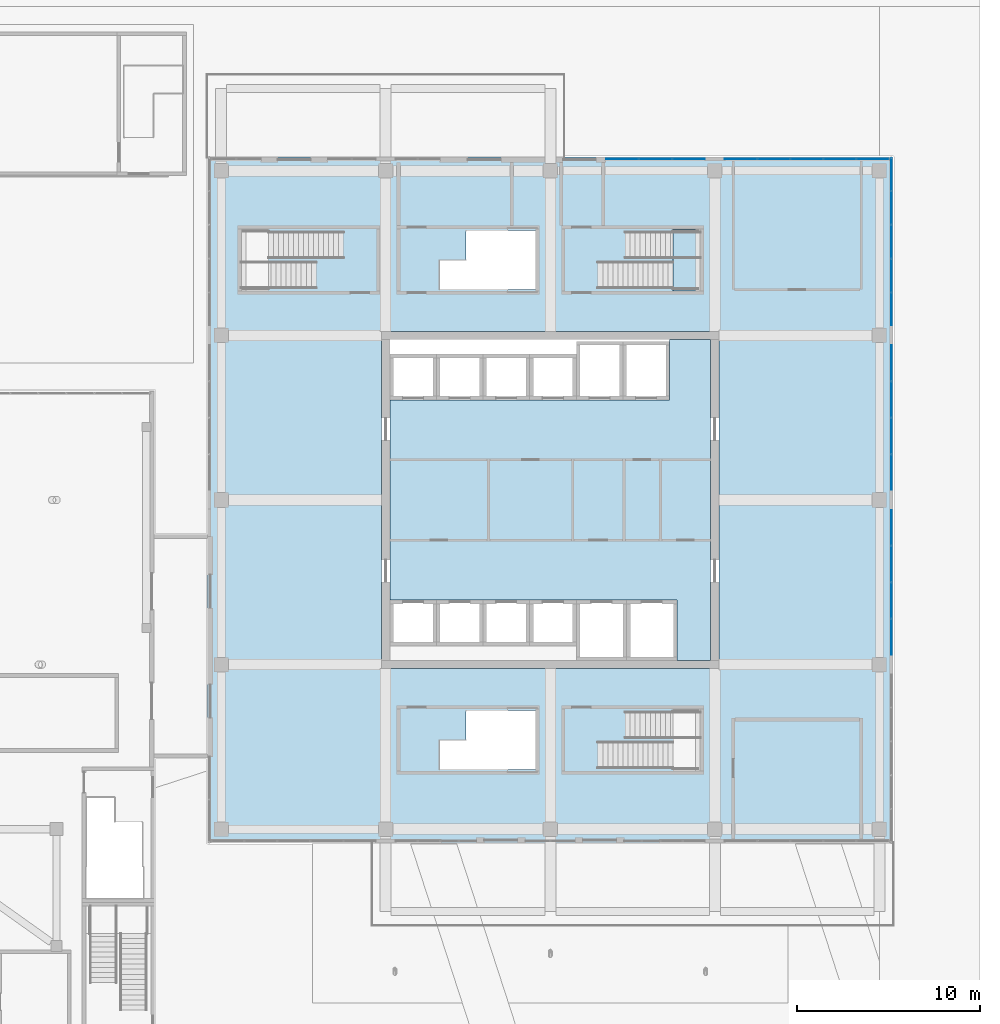
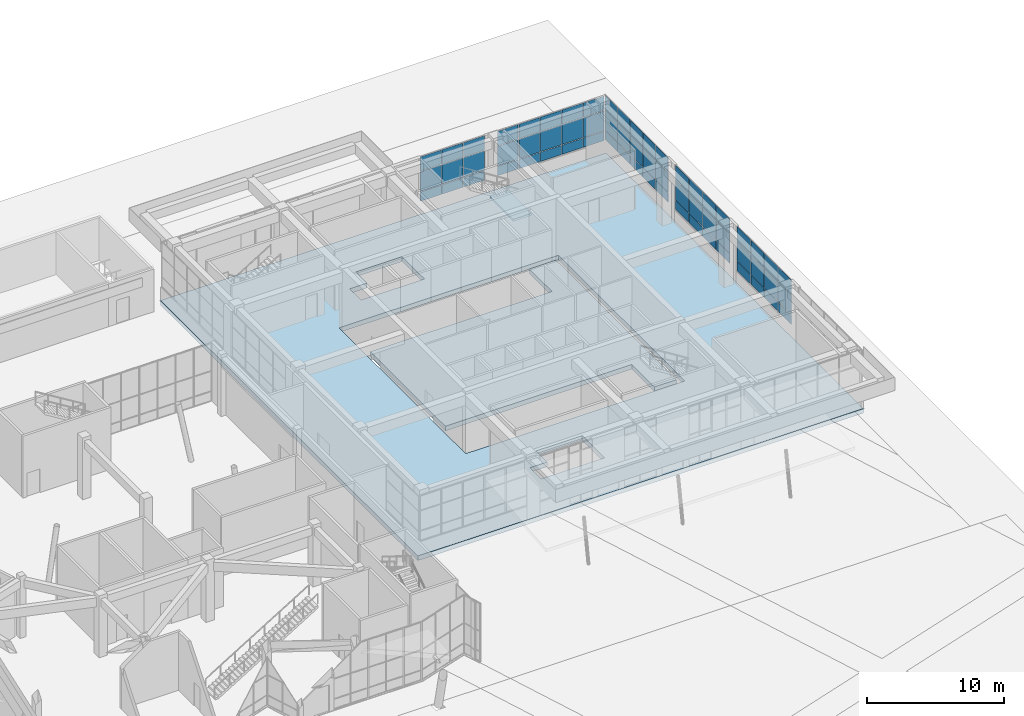
# One storey, part 50 of 72: 63 plates, 3 slabs, 6 elements without a shape of their own.
"""IFC4 building model written with IfcOpenShell, lengths in metres."""

import ifcopenshell
import ifcopenshell.guid

model = None  # the IFC model being written
_history = None  # IfcOwnerHistory: only IFC2X3 demands one
_inside = {}  # id of a spatial element -> (the spatial element, [elements in it])
_under = {}  # id of a project, library or spatial element -> (it, [spatial elements below it])
_declared = {}  # id of a project -> (the project, [libraries it declares])
_typed = {}  # id of a type object -> (the type object, [elements of that type])
_made_of = {}  # id of a material, layer set ... -> (it, [elements and type objects made of it])


def new_model(schema):
    """Start an empty IFC model of exactly this schema.

    Asked for "IFC4X3", IfcOpenShell would pick the latest addendum, in which some entities
    have other attributes; the version numbers below select the first issue.
    IFC2X3 requires an IfcOwnerHistory on every rooted entity: one is made here for all.
    """
    global model, _history
    if schema == "IFC4X3":
        model = ifcopenshell.file(schema_version=(4, 3, 0, 0))
    else:
        model = ifcopenshell.file(schema=schema)
    _inside.clear()
    _under.clear()
    _declared.clear()
    _typed.clear()
    _made_of.clear()
    _history = None
    if model.schema == "IFC2X3":
        org = make("IfcOrganization", Name="unknown")
        user = make(
            "IfcPersonAndOrganization",
            ThePerson=make("IfcPerson", FamilyName="unknown"),
            TheOrganization=org,
        )
        app = make(
            "IfcApplication",
            ApplicationDeveloper=org,
            Version="unknown",
            ApplicationFullName="unknown",
            ApplicationIdentifier="unknown",
        )
        _history = make(
            "IfcOwnerHistory",
            OwningUser=user,
            OwningApplication=app,
            ChangeAction="ADDED",
            CreationDate=0,
        )
    return model


def make(cls, **values):
    """One entity of the class cls with the attributes given. An attribute that is None is left unset."""
    return model.create_entity(
        cls, **{name: value for name, value in values.items() if value is not None}
    )


def rooted(cls, **values):
    """An entity with a GlobalId (a new one), such as an element, a storey or a relation."""
    return make(cls, GlobalId=ifcopenshell.guid.new(), OwnerHistory=_history, **values)


def si_unit(unit_type, name, prefix=None):
    """IfcSIUnit, for example si_unit("LENGTHUNIT", "METRE", prefix="MILLI")."""
    return make("IfcSIUnit", UnitType=unit_type, Prefix=prefix, Name=name)


def assignment(units):
    """IfcUnitAssignment: the units of a project."""
    return None if units is None else make("IfcUnitAssignment", Units=units)


def point(xyz):
    """IfcCartesianPoint."""
    return None if xyz is None else make("IfcCartesianPoint", Coordinates=xyz)


def direction(xyz):
    """IfcDirection."""
    return None if xyz is None else make("IfcDirection", DirectionRatios=xyz)


def frame(location, z_axis=None, x_axis=None):
    """IfcAxis2Placement3D, a coordinate frame: its origin and axes. An axis left out is left unset."""
    return make(
        "IfcAxis2Placement3D",
        Location=point(location),
        Axis=direction(z_axis),
        RefDirection=direction(x_axis),
    )


def frame_2d(location, x_axis=None):
    """IfcAxis2Placement2D, a coordinate frame in the plane: its origin and x axis."""
    return make(
        "IfcAxis2Placement2D", Location=point(location), RefDirection=direction(x_axis)
    )


def origin():
    """The frame at (0, 0, 0) with its axes left unset."""
    return frame((0.0, 0.0, 0.0))


def origin_2d():
    """The frame at (0, 0) in the plane with its x axis left unset."""
    return frame_2d((0.0, 0.0))


def place(relative_to, where):
    """IfcLocalPlacement: puts the frame where relative to a parent placement (None: the world)."""
    return make(
        "IfcLocalPlacement", PlacementRelTo=relative_to, RelativePlacement=where
    )


def context(
    kind, dimensions, precision=None, world=None, true_north=None, identifier=None
):
    """IfcGeometricRepresentationContext, for example the 3D "Model" context."""
    return make(
        "IfcGeometricRepresentationContext",
        ContextIdentifier=identifier,
        ContextType=kind,
        CoordinateSpaceDimension=dimensions,
        Precision=precision,
        WorldCoordinateSystem=world,
        TrueNorth=true_north,
    )


def subcontext(parent, identifier, kind, view, scale=None):
    """IfcGeometricRepresentationSubContext, for example "Body" below "Model"."""
    return make(
        "IfcGeometricRepresentationSubContext",
        ContextIdentifier=identifier,
        ContextType=kind,
        ParentContext=parent,
        TargetScale=scale,
        TargetView=view,
    )


def project(units=None, contexts=None):
    """IfcProject with its units and contexts."""
    return rooted(
        "IfcProject",
        Name="project",
        RepresentationContexts=contexts,
        UnitsInContext=assignment(units),
    )


def spatial(cls, under=None, at=None, **own):
    """A site, building, storey or space (cls), placed at a placement, below another one or the project."""
    s = rooted(cls, ObjectPlacement=at, **own)
    if under is not None:
        _under.setdefault(under.id(), (under, []))[1].append(s)
    return s


def polyline(points):
    """IfcPolyline through the points."""
    return make("IfcPolyline", Points=[point(p) for p in points])


def profile(cls, at=None, kind="AREA", **sizes):
    """A parametric profile (cls). Its sizes go by their IFC names, for example OverallWidth=200.0."""
    return make(cls, ProfileType=kind, Position=at, **sizes)


def rectangle(**sizes):
    """IfcRectangleProfileDef."""
    return profile("IfcRectangleProfileDef", **sizes)


def outline(outer, holes=None, kind="AREA"):
    """IfcArbitraryClosedProfileDef: a profile drawn as a closed curve; with holes, ...WithVoids."""
    if holes is None:
        return make("IfcArbitraryClosedProfileDef", ProfileType=kind, OuterCurve=outer)
    return make(
        "IfcArbitraryProfileDefWithVoids",
        ProfileType=kind,
        OuterCurve=outer,
        InnerCurves=holes,
    )


def extrude(swept, where, along, depth):
    """IfcExtrudedAreaSolid: the profile swept, set in the frame where, extruded along a direction by depth."""
    return make(
        "IfcExtrudedAreaSolid",
        SweptArea=swept,
        Position=where,
        ExtrudedDirection=direction(along),
        Depth=depth,
    )


def shape(context_of_items, identifier, shape_type, items):
    """IfcShapeRepresentation: the items that make up one representation, for example the "Body"."""
    return make(
        "IfcShapeRepresentation",
        ContextOfItems=context_of_items,
        RepresentationIdentifier=identifier,
        RepresentationType=shape_type,
        Items=items,
    )


def material(Name=None, Category=None):
    """IfcMaterial."""
    return make("IfcMaterial", Name=Name, Category=Category)


def layer(
    of_material, thickness, ventilated=None, Name=None, Category=None, Priority=None
):
    """IfcMaterialLayer: one layer of a wall or slab, of a material (None: an air gap)."""
    return make(
        "IfcMaterialLayer",
        Material=of_material,
        LayerThickness=thickness,
        IsVentilated=ventilated,
        Name=Name,
        Category=Category,
        Priority=Priority,
    )


def layer_set(layers, Name=None):
    """IfcMaterialLayerSet."""
    return make("IfcMaterialLayerSet", MaterialLayers=layers, LayerSetName=Name)


def made_of(thing, what):
    """Note that an element or type object is made of a material, layer set ...; save() writes the relation."""
    if what is not None:
        _made_of.setdefault(what.id(), (what, []))[1].append(thing)
    return thing


def type_object(cls, material=None, **own):
    """A type object (cls), such as IfcWallType, which elements share."""
    return made_of(rooted(cls, **own), material)


def element(
    cls,
    number,
    at=None,
    inside=None,
    cuts=None,
    type_object=None,
    material=None,
    context=None,
    identifier="Body",
    shape_type=None,
    held_by="IfcProductDefinitionShape",
    body=None,
    shapes=None,
    **own,
):
    """One element of the class cls, such as IfcWall. Its Tag is "e" and its number.

    at: its placement. inside: the storey or other place that contains it. cuts: it is an
    opening in that element (IfcRelVoidsElement). A single representation is given by context,
    identifier, shape_type and body (its items); several are given by shapes. held_by: the class
    of the entity that holds the representations. save() writes the other relations.
    """
    e = rooted(cls, Tag="e%d" % number, ObjectPlacement=at, **own)
    if body is not None:
        shapes = [shape(context, identifier, shape_type, body)]
    if shapes is not None:
        e.Representation = make(held_by, Representations=shapes)
    if inside is not None:
        _inside.setdefault(inside.id(), (inside, []))[1].append(e)
    if cuts is not None:
        rooted(
            "IfcRelVoidsElement", RelatingBuildingElement=cuts, RelatedOpeningElement=e
        )
    if type_object is not None:
        _typed.setdefault(type_object.id(), (type_object, []))[1].append(e)
    return made_of(e, material)


def aggregate(whole, parts):
    """IfcRelAggregates: a whole, such as a stair, and the parts it consists of."""
    return rooted("IfcRelAggregates", RelatingObject=whole, RelatedObjects=parts)


def save(model, path):
    """Write the relations noted so far, then the file.

    IfcRelAggregates (storeys below a building ...), IfcRelContainedInSpatialStructure (elements
    in a storey), IfcRelDefinesByType, IfcRelAssociatesMaterial and IfcRelDeclares: one each for
    every whole, place, type object, material and project.
    """
    for whole, parts in _under.values():
        aggregate(whole, parts)
    for where, things in _inside.values():
        rooted(
            "IfcRelContainedInSpatialStructure",
            RelatedElements=things,
            RelatingStructure=where,
        )
    for kind, things in _typed.values():
        rooted("IfcRelDefinesByType", RelatedObjects=things, RelatingType=kind)
    for what, things in _made_of.values():
        rooted("IfcRelAssociatesMaterial", RelatedObjects=things, RelatingMaterial=what)
    for by, libraries in _declared.values():
        rooted("IfcRelDeclares", RelatingContext=by, RelatedDefinitions=libraries)
    model.write(path)


model = new_model("IFC4")

# Units and contexts
model_context = context("Model", 3, precision=1e-05, world=origin(), true_north=direction((0.0, 1.0)))
body_context = subcontext(model_context, "Body", "Model", "MODEL_VIEW")
ifc_project = project(units=[si_unit("LENGTHUNIT", "METRE"), si_unit("AREAUNIT", "SQUARE_METRE"), si_unit("VOLUMEUNIT", "CUBIC_METRE"), si_unit("PLANEANGLEUNIT", "RADIAN"), si_unit("MASSUNIT", "GRAM", prefix="KILO")], contexts=[model_context])

# Site, building, storey
site_placement = place(None, origin())
site = spatial("IfcSite", under=ifc_project, at=site_placement, CompositionType="ELEMENT")
building_placement = place(site_placement, origin())
building = spatial("IfcBuilding", under=site, at=building_placement, Name="Tuart Plaza Theatre", CompositionType="ELEMENT")
storey_placement = place(building_placement, origin())
storey = spatial("IfcBuildingStorey", under=building, at=storey_placement, Name="L00", CompositionType="ELEMENT", Elevation=0.0)

# Curtain wall, plates
ifc_material_1 = material(Name="Aluminium and glass", Category="aluminium")
ifc_layer_1 = layer(ifc_material_1, 0.10009765625)
ifc_layer_set_1 = layer_set([ifc_layer_1], Name="CURTAIN WALL 2000 module")
curtain_wall_type_1 = type_object("IfcCurtainWallType", Name="CURTAIN WALL 2000 module", PredefinedType="NOTDEFINED", material=ifc_layer_set_1)
curtain_wall_1_placement = place(storey_placement, origin())
curtain_wall_1 = element("IfcCurtainWall", 1, at=curtain_wall_1_placement, inside=storey, type_object=curtain_wall_type_1, Name="CW49", PredefinedType="NOTDEFINED")
ifc_material_2 = material(Name="Glass", Category="glass")
ifc_layer_2 = layer(ifc_material_2, 0.028076171875)
ifc_layer_set_2 = layer_set([ifc_layer_2], Name="CURTAIN PANEL double glazed 28")
plate_type = type_object("IfcPlateType", Name="CURTAIN PANEL double glazed 28", PredefinedType="CURTAIN_PANEL", material=ifc_layer_set_2)
plate_1_placement = place(storey_placement, frame((150.64990234375, 66.512451171875, 1.25), z_axis=(0.0, 0.0, 1.0), x_axis=(0.0, 1.0, 0.0)))
plate_1 = element("IfcPlate", 2, at=plate_1_placement, type_object=plate_type, Name="CW49 panel 1.1", PredefinedType="CURTAIN_PANEL", context=body_context, shape_type="SweptSolid", body=[
    extrude(rectangle(XDim=1.925048828125, YDim=0.028076171875, at=origin_2d()), origin(), (0.0, 0.0, 1.0), 0.824951171875),
])
plate_2_placement = place(storey_placement, frame((150.64990234375, 66.512451171875, 2.125), z_axis=(0.0, 0.0, 1.0), x_axis=(0.0, 1.0, 0.0)))
plate_2 = element("IfcPlate", 3, at=plate_2_placement, type_object=plate_type, Name="CW49 panel 1.2", PredefinedType="CURTAIN_PANEL", context=body_context, shape_type="SweptSolid", body=[
    extrude(rectangle(XDim=1.925048828125, YDim=0.028076171875, at=origin_2d()), origin(), (0.0, 0.0, 1.0), 1.75),
])
plate_3_placement = place(storey_placement, frame((150.64990234375, 66.512451171875, 3.925048828125), z_axis=(0.0, 0.0, 1.0), x_axis=(0.0, 1.0, 0.0)))
plate_3 = element("IfcPlate", 4, at=plate_3_placement, type_object=plate_type, Name="CW49 panel 1.3", PredefinedType="CURTAIN_PANEL", context=body_context, shape_type="SweptSolid", body=[
    extrude(rectangle(XDim=1.925048828125, YDim=0.028076171875, at=origin_2d()), origin(), (0.0, 0.0, 1.0), 1.27490234375),
])
plate_4_placement = place(storey_placement, frame((150.64990234375, 68.5, 1.25), z_axis=(0.0, 0.0, 1.0), x_axis=(0.0, 1.0, 0.0)))
plate_4 = element("IfcPlate", 5, at=plate_4_placement, type_object=plate_type, Name="CW49 panel 2.1", PredefinedType="CURTAIN_PANEL", context=body_context, shape_type="SweptSolid", body=[
    extrude(rectangle(XDim=1.949951171875, YDim=0.028076171875, at=origin_2d()), origin(), (0.0, 0.0, 1.0), 0.824951171875),
])
plate_5_placement = place(storey_placement, frame((150.64990234375, 68.5, 2.125), z_axis=(0.0, 0.0, 1.0), x_axis=(0.0, 1.0, 0.0)))
plate_5 = element("IfcPlate", 6, at=plate_5_placement, type_object=plate_type, Name="CW49 panel 2.2", PredefinedType="CURTAIN_PANEL", context=body_context, shape_type="SweptSolid", body=[
    extrude(rectangle(XDim=1.949951171875, YDim=0.028076171875, at=origin_2d()), origin(), (0.0, 0.0, 1.0), 1.75),
])
plate_6_placement = place(storey_placement, frame((150.64990234375, 68.5, 3.925048828125), z_axis=(0.0, 0.0, 1.0), x_axis=(0.0, 1.0, 0.0)))
plate_6 = element("IfcPlate", 7, at=plate_6_placement, type_object=plate_type, Name="CW49 panel 2.3", PredefinedType="CURTAIN_PANEL", context=body_context, shape_type="SweptSolid", body=[
    extrude(rectangle(XDim=1.949951171875, YDim=0.028076171875, at=origin_2d()), origin(), (0.0, 0.0, 1.0), 1.27490234375),
])
plate_7_placement = place(storey_placement, frame((150.64990234375, 70.5, 1.25), z_axis=(0.0, 0.0, 1.0), x_axis=(0.0, 1.0, 0.0)))
plate_7 = element("IfcPlate", 8, at=plate_7_placement, type_object=plate_type, Name="CW49 panel 3.1", PredefinedType="CURTAIN_PANEL", context=body_context, shape_type="SweptSolid", body=[
    extrude(rectangle(XDim=1.949951171875, YDim=0.028076171875, at=origin_2d()), origin(), (0.0, 0.0, 1.0), 0.824951171875),
])
plate_8_placement = place(storey_placement, frame((150.64990234375, 70.5, 2.125), z_axis=(0.0, 0.0, 1.0), x_axis=(0.0, 1.0, 0.0)))
plate_8 = element("IfcPlate", 9, at=plate_8_placement, type_object=plate_type, Name="CW49 panel 3.2", PredefinedType="CURTAIN_PANEL", context=body_context, shape_type="SweptSolid", body=[
    extrude(rectangle(XDim=1.949951171875, YDim=0.028076171875, at=origin_2d()), origin(), (0.0, 0.0, 1.0), 1.75),
])
plate_9_placement = place(storey_placement, frame((150.64990234375, 70.5, 3.925048828125), z_axis=(0.0, 0.0, 1.0), x_axis=(0.0, 1.0, 0.0)))
plate_9 = element("IfcPlate", 10, at=plate_9_placement, type_object=plate_type, Name="CW49 panel 3.3", PredefinedType="CURTAIN_PANEL", context=body_context, shape_type="SweptSolid", body=[
    extrude(rectangle(XDim=1.949951171875, YDim=0.028076171875, at=origin_2d()), origin(), (0.0, 0.0, 1.0), 1.27490234375),
])
plate_10_placement = place(storey_placement, frame((150.64990234375, 72.487548828125, 1.25), z_axis=(0.0, 0.0, 1.0), x_axis=(0.0, 1.0, 0.0)))
plate_10 = element("IfcPlate", 11, at=plate_10_placement, type_object=plate_type, Name="CW49 panel 4.1", PredefinedType="CURTAIN_PANEL", context=body_context, shape_type="SweptSolid", body=[
    extrude(rectangle(XDim=1.925048828125, YDim=0.028076171875, at=origin_2d()), origin(), (0.0, 0.0, 1.0), 0.824951171875),
])
plate_11_placement = place(storey_placement, frame((150.64990234375, 72.487548828125, 2.125), z_axis=(0.0, 0.0, 1.0), x_axis=(0.0, 1.0, 0.0)))
plate_11 = element("IfcPlate", 12, at=plate_11_placement, type_object=plate_type, Name="CW49 panel 4.2", PredefinedType="CURTAIN_PANEL", context=body_context, shape_type="SweptSolid", body=[
    extrude(rectangle(XDim=1.925048828125, YDim=0.028076171875, at=origin_2d()), origin(), (0.0, 0.0, 1.0), 1.75),
])
plate_12_placement = place(storey_placement, frame((150.64990234375, 72.487548828125, 3.925048828125), z_axis=(0.0, 0.0, 1.0), x_axis=(0.0, 1.0, 0.0)))
plate_12 = element("IfcPlate", 13, at=plate_12_placement, type_object=plate_type, Name="CW49 panel 4.3", PredefinedType="CURTAIN_PANEL", context=body_context, shape_type="SweptSolid", body=[
    extrude(rectangle(XDim=1.925048828125, YDim=0.028076171875, at=origin_2d()), origin(), (0.0, 0.0, 1.0), 1.27490234375),
])
aggregate(curtain_wall_1, [plate_1, plate_2, plate_3, plate_4, plate_5, plate_6, plate_7, plate_8, plate_9, plate_10, plate_11, plate_12])

curtain_wall_2_placement = place(storey_placement, origin())
curtain_wall_2 = element("IfcCurtainWall", 14, at=curtain_wall_2_placement, inside=storey, type_object=curtain_wall_type_1, Name="CW50", PredefinedType="NOTDEFINED")
plate_13_placement = place(storey_placement, frame((150.64990234375, 75.512451171875, 1.25), z_axis=(0.0, 0.0, 1.0), x_axis=(0.0, 1.0, 0.0)))
plate_13 = element("IfcPlate", 15, at=plate_13_placement, type_object=plate_type, Name="CW50 panel 1.1", PredefinedType="CURTAIN_PANEL", context=body_context, shape_type="SweptSolid", body=[
    extrude(rectangle(XDim=1.925048828125, YDim=0.028076171875, at=origin_2d()), origin(), (0.0, 0.0, 1.0), 0.824951171875),
])
plate_14_placement = place(storey_placement, frame((150.64990234375, 75.512451171875, 2.125), z_axis=(0.0, 0.0, 1.0), x_axis=(0.0, 1.0, 0.0)))
plate_14 = element("IfcPlate", 16, at=plate_14_placement, type_object=plate_type, Name="CW50 panel 1.2", PredefinedType="CURTAIN_PANEL", context=body_context, shape_type="SweptSolid", body=[
    extrude(rectangle(XDim=1.925048828125, YDim=0.028076171875, at=origin_2d()), origin(), (0.0, 0.0, 1.0), 1.75),
])
plate_15_placement = place(storey_placement, frame((150.64990234375, 75.512451171875, 3.925048828125), z_axis=(0.0, 0.0, 1.0), x_axis=(0.0, 1.0, 0.0)))
plate_15 = element("IfcPlate", 17, at=plate_15_placement, type_object=plate_type, Name="CW50 panel 1.3", PredefinedType="CURTAIN_PANEL", context=body_context, shape_type="SweptSolid", body=[
    extrude(rectangle(XDim=1.925048828125, YDim=0.028076171875, at=origin_2d()), origin(), (0.0, 0.0, 1.0), 1.27490234375),
])
plate_16_placement = place(storey_placement, frame((150.64990234375, 77.5, 1.25), z_axis=(0.0, 0.0, 1.0), x_axis=(0.0, 1.0, 0.0)))
plate_16 = element("IfcPlate", 18, at=plate_16_placement, type_object=plate_type, Name="CW50 panel 2.1", PredefinedType="CURTAIN_PANEL", context=body_context, shape_type="SweptSolid", body=[
    extrude(rectangle(XDim=1.949951171875, YDim=0.028076171875, at=origin_2d()), origin(), (0.0, 0.0, 1.0), 0.824951171875),
])
plate_17_placement = place(storey_placement, frame((150.64990234375, 77.5, 2.125), z_axis=(0.0, 0.0, 1.0), x_axis=(0.0, 1.0, 0.0)))
plate_17 = element("IfcPlate", 19, at=plate_17_placement, type_object=plate_type, Name="CW50 panel 2.2", PredefinedType="CURTAIN_PANEL", context=body_context, shape_type="SweptSolid", body=[
    extrude(rectangle(XDim=1.949951171875, YDim=0.028076171875, at=origin_2d()), origin(), (0.0, 0.0, 1.0), 1.75),
])
plate_18_placement = place(storey_placement, frame((150.64990234375, 77.5, 3.925048828125), z_axis=(0.0, 0.0, 1.0), x_axis=(0.0, 1.0, 0.0)))
plate_18 = element("IfcPlate", 20, at=plate_18_placement, type_object=plate_type, Name="CW50 panel 2.3", PredefinedType="CURTAIN_PANEL", context=body_context, shape_type="SweptSolid", body=[
    extrude(rectangle(XDim=1.949951171875, YDim=0.028076171875, at=origin_2d()), origin(), (0.0, 0.0, 1.0), 1.27490234375),
])
plate_19_placement = place(storey_placement, frame((150.64990234375, 79.5, 1.25), z_axis=(0.0, 0.0, 1.0), x_axis=(0.0, 1.0, 0.0)))
plate_19 = element("IfcPlate", 21, at=plate_19_placement, type_object=plate_type, Name="CW50 panel 3.1", PredefinedType="CURTAIN_PANEL", context=body_context, shape_type="SweptSolid", body=[
    extrude(rectangle(XDim=1.949951171875, YDim=0.028076171875, at=origin_2d()), origin(), (0.0, 0.0, 1.0), 0.824951171875),
])
plate_20_placement = place(storey_placement, frame((150.64990234375, 79.5, 2.125), z_axis=(0.0, 0.0, 1.0), x_axis=(0.0, 1.0, 0.0)))
plate_20 = element("IfcPlate", 22, at=plate_20_placement, type_object=plate_type, Name="CW50 panel 3.2", PredefinedType="CURTAIN_PANEL", context=body_context, shape_type="SweptSolid", body=[
    extrude(rectangle(XDim=1.949951171875, YDim=0.028076171875, at=origin_2d()), origin(), (0.0, 0.0, 1.0), 1.75),
])
plate_21_placement = place(storey_placement, frame((150.64990234375, 79.5, 3.925048828125), z_axis=(0.0, 0.0, 1.0), x_axis=(0.0, 1.0, 0.0)))
plate_21 = element("IfcPlate", 23, at=plate_21_placement, type_object=plate_type, Name="CW50 panel 3.3", PredefinedType="CURTAIN_PANEL", context=body_context, shape_type="SweptSolid", body=[
    extrude(rectangle(XDim=1.949951171875, YDim=0.028076171875, at=origin_2d()), origin(), (0.0, 0.0, 1.0), 1.27490234375),
])
plate_22_placement = place(storey_placement, frame((150.64990234375, 81.487548828125, 1.25), z_axis=(0.0, 0.0, 1.0), x_axis=(0.0, 1.0, 0.0)))
plate_22 = element("IfcPlate", 24, at=plate_22_placement, type_object=plate_type, Name="CW50 panel 4.1", PredefinedType="CURTAIN_PANEL", context=body_context, shape_type="SweptSolid", body=[
    extrude(rectangle(XDim=1.925048828125, YDim=0.028076171875, at=origin_2d()), origin(), (0.0, 0.0, 1.0), 0.824951171875),
])
plate_23_placement = place(storey_placement, frame((150.64990234375, 81.487548828125, 2.125), z_axis=(0.0, 0.0, 1.0), x_axis=(0.0, 1.0, 0.0)))
plate_23 = element("IfcPlate", 25, at=plate_23_placement, type_object=plate_type, Name="CW50 panel 4.2", PredefinedType="CURTAIN_PANEL", context=body_context, shape_type="SweptSolid", body=[
    extrude(rectangle(XDim=1.925048828125, YDim=0.028076171875, at=origin_2d()), origin(), (0.0, 0.0, 1.0), 1.75),
])
plate_24_placement = place(storey_placement, frame((150.64990234375, 81.487548828125, 3.925048828125), z_axis=(0.0, 0.0, 1.0), x_axis=(0.0, 1.0, 0.0)))
plate_24 = element("IfcPlate", 26, at=plate_24_placement, type_object=plate_type, Name="CW50 panel 4.3", PredefinedType="CURTAIN_PANEL", context=body_context, shape_type="SweptSolid", body=[
    extrude(rectangle(XDim=1.925048828125, YDim=0.028076171875, at=origin_2d()), origin(), (0.0, 0.0, 1.0), 1.27490234375),
])
aggregate(curtain_wall_2, [plate_13, plate_14, plate_15, plate_16, plate_17, plate_18, plate_19, plate_20, plate_21, plate_22, plate_23, plate_24])

curtain_wall_3_placement = place(storey_placement, origin())
curtain_wall_3 = element("IfcCurtainWall", 27, at=curtain_wall_3_placement, inside=storey, type_object=curtain_wall_type_1, Name="CW51", PredefinedType="NOTDEFINED")
plate_25_placement = place(storey_placement, frame((150.64990234375, 84.4375, 1.25), z_axis=(0.0, 0.0, 1.0), x_axis=(0.0, 1.0, 0.0)))
plate_25 = element("IfcPlate", 28, at=plate_25_placement, type_object=plate_type, Name="CW51 panel 1.1", PredefinedType="CURTAIN_PANEL", context=body_context, shape_type="SweptSolid", body=[
    extrude(rectangle(XDim=1.77490234375, YDim=0.028076171875, at=origin_2d()), origin(), (0.0, 0.0, 1.0), 0.824951171875),
])
plate_26_placement = place(storey_placement, frame((150.64990234375, 84.4375, 2.125), z_axis=(0.0, 0.0, 1.0), x_axis=(0.0, 1.0, 0.0)))
plate_26 = element("IfcPlate", 29, at=plate_26_placement, type_object=plate_type, Name="CW51 panel 1.2", PredefinedType="CURTAIN_PANEL", context=body_context, shape_type="SweptSolid", body=[
    extrude(rectangle(XDim=1.77490234375, YDim=0.028076171875, at=origin_2d()), origin(), (0.0, 0.0, 1.0), 1.75),
])
plate_27_placement = place(storey_placement, frame((150.64990234375, 84.4375, 3.925048828125), z_axis=(0.0, 0.0, 1.0), x_axis=(0.0, 1.0, 0.0)))
plate_27 = element("IfcPlate", 30, at=plate_27_placement, type_object=plate_type, Name="CW51 panel 1.3", PredefinedType="CURTAIN_PANEL", context=body_context, shape_type="SweptSolid", body=[
    extrude(rectangle(XDim=1.77490234375, YDim=0.028076171875, at=origin_2d()), origin(), (0.0, 0.0, 1.0), 1.27490234375),
])
plate_28_placement = place(storey_placement, frame((150.64990234375, 86.27490234375, 1.25), z_axis=(0.0, 0.0, 1.0), x_axis=(0.0, 1.0, 0.0)))
plate_28 = element("IfcPlate", 31, at=plate_28_placement, type_object=plate_type, Name="CW51 panel 2.1", PredefinedType="CURTAIN_PANEL", context=body_context, shape_type="SweptSolid", body=[
    extrude(rectangle(XDim=1.800048828125, YDim=0.028076171875, at=origin_2d()), origin(), (0.0, 0.0, 1.0), 0.824951171875),
])
plate_29_placement = place(storey_placement, frame((150.64990234375, 86.27490234375, 2.125), z_axis=(0.0, 0.0, 1.0), x_axis=(0.0, 1.0, 0.0)))
plate_29 = element("IfcPlate", 32, at=plate_29_placement, type_object=plate_type, Name="CW51 panel 2.2", PredefinedType="CURTAIN_PANEL", context=body_context, shape_type="SweptSolid", body=[
    extrude(rectangle(XDim=1.800048828125, YDim=0.028076171875, at=origin_2d()), origin(), (0.0, 0.0, 1.0), 1.75),
])
plate_30_placement = place(storey_placement, frame((150.64990234375, 86.27490234375, 3.925048828125), z_axis=(0.0, 0.0, 1.0), x_axis=(0.0, 1.0, 0.0)))
plate_30 = element("IfcPlate", 33, at=plate_30_placement, type_object=plate_type, Name="CW51 panel 2.3", PredefinedType="CURTAIN_PANEL", context=body_context, shape_type="SweptSolid", body=[
    extrude(rectangle(XDim=1.800048828125, YDim=0.028076171875, at=origin_2d()), origin(), (0.0, 0.0, 1.0), 1.27490234375),
])
plate_31_placement = place(storey_placement, frame((150.64990234375, 88.125, 1.25), z_axis=(0.0, 0.0, 1.0), x_axis=(0.0, 1.0, 0.0)))
plate_31 = element("IfcPlate", 34, at=plate_31_placement, type_object=plate_type, Name="CW51 panel 3.1", PredefinedType="CURTAIN_PANEL", context=body_context, shape_type="SweptSolid", body=[
    extrude(rectangle(XDim=1.800048828125, YDim=0.028076171875, at=origin_2d()), origin(), (0.0, 0.0, 1.0), 0.824951171875),
])
plate_32_placement = place(storey_placement, frame((150.64990234375, 88.125, 2.125), z_axis=(0.0, 0.0, 1.0), x_axis=(0.0, 1.0, 0.0)))
plate_32 = element("IfcPlate", 35, at=plate_32_placement, type_object=plate_type, Name="CW51 panel 3.2", PredefinedType="CURTAIN_PANEL", context=body_context, shape_type="SweptSolid", body=[
    extrude(rectangle(XDim=1.800048828125, YDim=0.028076171875, at=origin_2d()), origin(), (0.0, 0.0, 1.0), 1.75),
])
plate_33_placement = place(storey_placement, frame((150.64990234375, 88.125, 3.925048828125), z_axis=(0.0, 0.0, 1.0), x_axis=(0.0, 1.0, 0.0)))
plate_33 = element("IfcPlate", 36, at=plate_33_placement, type_object=plate_type, Name="CW51 panel 3.3", PredefinedType="CURTAIN_PANEL", context=body_context, shape_type="SweptSolid", body=[
    extrude(rectangle(XDim=1.800048828125, YDim=0.028076171875, at=origin_2d()), origin(), (0.0, 0.0, 1.0), 1.27490234375),
])
plate_34_placement = place(storey_placement, frame((150.64990234375, 89.97509765625, 1.25), z_axis=(0.0, 0.0, 1.0), x_axis=(0.0, 1.0, 0.0)))
plate_34 = element("IfcPlate", 37, at=plate_34_placement, type_object=plate_type, Name="CW51 panel 4.1", PredefinedType="CURTAIN_PANEL", context=body_context, shape_type="SweptSolid", body=[
    extrude(rectangle(XDim=1.800048828125, YDim=0.028076171875, at=origin_2d()), origin(), (0.0, 0.0, 1.0), 0.824951171875),
])
plate_35_placement = place(storey_placement, frame((150.64990234375, 89.97509765625, 2.125), z_axis=(0.0, 0.0, 1.0), x_axis=(0.0, 1.0, 0.0)))
plate_35 = element("IfcPlate", 38, at=plate_35_placement, type_object=plate_type, Name="CW51 panel 4.2", PredefinedType="CURTAIN_PANEL", context=body_context, shape_type="SweptSolid", body=[
    extrude(rectangle(XDim=1.800048828125, YDim=0.028076171875, at=origin_2d()), origin(), (0.0, 0.0, 1.0), 1.75),
])
plate_36_placement = place(storey_placement, frame((150.64990234375, 89.97509765625, 3.925048828125), z_axis=(0.0, 0.0, 1.0), x_axis=(0.0, 1.0, 0.0)))
plate_36 = element("IfcPlate", 39, at=plate_36_placement, type_object=plate_type, Name="CW51 panel 4.3", PredefinedType="CURTAIN_PANEL", context=body_context, shape_type="SweptSolid", body=[
    extrude(rectangle(XDim=1.800048828125, YDim=0.028076171875, at=origin_2d()), origin(), (0.0, 0.0, 1.0), 1.27490234375),
])
plate_37_placement = place(storey_placement, frame((150.64990234375, 91.8125, 1.25), z_axis=(0.0, 0.0, 1.0), x_axis=(0.0, 1.0, 0.0)))
plate_37 = element("IfcPlate", 40, at=plate_37_placement, type_object=plate_type, Name="CW51 panel 5.1", PredefinedType="CURTAIN_PANEL", context=body_context, shape_type="SweptSolid", body=[
    extrude(rectangle(XDim=1.77490234375, YDim=0.028076171875, at=origin_2d()), origin(), (0.0, 0.0, 1.0), 0.824951171875),
])
plate_38_placement = place(storey_placement, frame((150.64990234375, 91.8125, 2.125), z_axis=(0.0, 0.0, 1.0), x_axis=(0.0, 1.0, 0.0)))
plate_38 = element("IfcPlate", 41, at=plate_38_placement, type_object=plate_type, Name="CW51 panel 5.2", PredefinedType="CURTAIN_PANEL", context=body_context, shape_type="SweptSolid", body=[
    extrude(rectangle(XDim=1.77490234375, YDim=0.028076171875, at=origin_2d()), origin(), (0.0, 0.0, 1.0), 1.75),
])
plate_39_placement = place(storey_placement, frame((150.64990234375, 91.8125, 3.925048828125), z_axis=(0.0, 0.0, 1.0), x_axis=(0.0, 1.0, 0.0)))
plate_39 = element("IfcPlate", 42, at=plate_39_placement, type_object=plate_type, Name="CW51 panel 5.3", PredefinedType="CURTAIN_PANEL", context=body_context, shape_type="SweptSolid", body=[
    extrude(rectangle(XDim=1.77490234375, YDim=0.028076171875, at=origin_2d()), origin(), (0.0, 0.0, 1.0), 1.27490234375),
])
aggregate(curtain_wall_3, [plate_25, plate_26, plate_27, plate_28, plate_29, plate_30, plate_31, plate_32, plate_33, plate_34, plate_35, plate_36, plate_37, plate_38, plate_39])

ifc_material_3 = material(Name="Aluminium and glass", Category="aluminium")
ifc_layer_3 = layer(ifc_material_3, 0.10009765625)
ifc_layer_set_3 = layer_set([ifc_layer_3], Name="CURTAIN WALL 1800 module")
curtain_wall_type_2 = type_object("IfcCurtainWallType", Name="CURTAIN WALL 1800 module", PredefinedType="NOTDEFINED", material=ifc_layer_set_3)
curtain_wall_4_placement = place(storey_placement, origin())
curtain_wall_4 = element("IfcCurtainWall", 43, at=curtain_wall_4_placement, inside=storey, type_object=curtain_wall_type_2, Name="CW52", PredefinedType="NOTDEFINED")
plate_40_placement = place(storey_placement, frame((149.632568359375, 92.64990234375, 1.25), z_axis=(0.0, 0.0, 1.0), x_axis=(-1.0, 0.0, 0.0)))
plate_40 = element("IfcPlate", 44, at=plate_40_placement, type_object=plate_type, Name="CW52 panel 1.1", PredefinedType="CURTAIN_PANEL", context=body_context, shape_type="SweptSolid", body=[
    extrude(rectangle(XDim=1.735107421875, YDim=0.028076171875, at=origin_2d()), origin(), (0.0, 0.0, 1.0), 0.824951171875),
])
plate_41_placement = place(storey_placement, frame((149.632568359375, 92.64990234375, 2.125), z_axis=(0.0, 0.0, 1.0), x_axis=(-1.0, 0.0, 0.0)))
plate_41 = element("IfcPlate", 45, at=plate_41_placement, type_object=plate_type, Name="CW52 panel 1.2", PredefinedType="CURTAIN_PANEL", context=body_context, shape_type="SweptSolid", body=[
    extrude(rectangle(XDim=1.735107421875, YDim=0.028076171875, at=origin_2d()), origin(), (0.0, 0.0, 1.0), 1.75),
])
plate_42_placement = place(storey_placement, frame((149.632568359375, 92.64990234375, 3.925048828125), z_axis=(0.0, 0.0, 1.0), x_axis=(-1.0, 0.0, 0.0)))
plate_42 = element("IfcPlate", 46, at=plate_42_placement, type_object=plate_type, Name="CW52 panel 1.3", PredefinedType="CURTAIN_PANEL", context=body_context, shape_type="SweptSolid", body=[
    extrude(rectangle(XDim=1.735107421875, YDim=0.028076171875, at=origin_2d()), origin(), (0.0, 0.0, 1.0), 1.27490234375),
])
plate_43_placement = place(storey_placement, frame((147.8349609375, 92.64990234375, 1.25), z_axis=(0.0, 0.0, 1.0), x_axis=(-1.0, 0.0, 0.0)))
plate_43 = element("IfcPlate", 47, at=plate_43_placement, type_object=plate_type, Name="CW52 panel 2.1", PredefinedType="CURTAIN_PANEL", context=body_context, shape_type="SweptSolid", body=[
    extrude(rectangle(XDim=1.760009765625, YDim=0.028076171875, at=origin_2d()), origin(), (0.0, 0.0, 1.0), 0.824951171875),
])
plate_44_placement = place(storey_placement, frame((147.8349609375, 92.64990234375, 2.125), z_axis=(0.0, 0.0, 1.0), x_axis=(-1.0, 0.0, 0.0)))
plate_44 = element("IfcPlate", 48, at=plate_44_placement, type_object=plate_type, Name="CW52 panel 2.2", PredefinedType="CURTAIN_PANEL", context=body_context, shape_type="SweptSolid", body=[
    extrude(rectangle(XDim=1.760009765625, YDim=0.028076171875, at=origin_2d()), origin(), (0.0, 0.0, 1.0), 1.75),
])
plate_45_placement = place(storey_placement, frame((147.8349609375, 92.64990234375, 3.925048828125), z_axis=(0.0, 0.0, 1.0), x_axis=(-1.0, 0.0, 0.0)))
plate_45 = element("IfcPlate", 49, at=plate_45_placement, type_object=plate_type, Name="CW52 panel 2.3", PredefinedType="CURTAIN_PANEL", context=body_context, shape_type="SweptSolid", body=[
    extrude(rectangle(XDim=1.760009765625, YDim=0.028076171875, at=origin_2d()), origin(), (0.0, 0.0, 1.0), 1.27490234375),
])
plate_46_placement = place(storey_placement, frame((146.02490234375, 92.64990234375, 1.25), z_axis=(0.0, 0.0, 1.0), x_axis=(-1.0, 0.0, 0.0)))
plate_46 = element("IfcPlate", 50, at=plate_46_placement, type_object=plate_type, Name="CW52 panel 3.1", PredefinedType="CURTAIN_PANEL", context=body_context, shape_type="SweptSolid", body=[
    extrude(rectangle(XDim=1.760009765625, YDim=0.028076171875, at=origin_2d()), origin(), (0.0, 0.0, 1.0), 0.824951171875),
])
plate_47_placement = place(storey_placement, frame((146.02490234375, 92.64990234375, 2.125), z_axis=(0.0, 0.0, 1.0), x_axis=(-1.0, 0.0, 0.0)))
plate_47 = element("IfcPlate", 51, at=plate_47_placement, type_object=plate_type, Name="CW52 panel 3.2", PredefinedType="CURTAIN_PANEL", context=body_context, shape_type="SweptSolid", body=[
    extrude(rectangle(XDim=1.760009765625, YDim=0.028076171875, at=origin_2d()), origin(), (0.0, 0.0, 1.0), 1.75),
])
plate_48_placement = place(storey_placement, frame((146.02490234375, 92.64990234375, 3.925048828125), z_axis=(0.0, 0.0, 1.0), x_axis=(-1.0, 0.0, 0.0)))
plate_48 = element("IfcPlate", 52, at=plate_48_placement, type_object=plate_type, Name="CW52 panel 3.3", PredefinedType="CURTAIN_PANEL", context=body_context, shape_type="SweptSolid", body=[
    extrude(rectangle(XDim=1.760009765625, YDim=0.028076171875, at=origin_2d()), origin(), (0.0, 0.0, 1.0), 1.27490234375),
])
plate_49_placement = place(storey_placement, frame((144.215087890625, 92.64990234375, 1.25), z_axis=(0.0, 0.0, 1.0), x_axis=(-1.0, 0.0, 0.0)))
plate_49 = element("IfcPlate", 53, at=plate_49_placement, type_object=plate_type, Name="CW52 panel 4.1", PredefinedType="CURTAIN_PANEL", context=body_context, shape_type="SweptSolid", body=[
    extrude(rectangle(XDim=1.760009765625, YDim=0.028076171875, at=origin_2d()), origin(), (0.0, 0.0, 1.0), 0.824951171875),
])
plate_50_placement = place(storey_placement, frame((144.215087890625, 92.64990234375, 2.125), z_axis=(0.0, 0.0, 1.0), x_axis=(-1.0, 0.0, 0.0)))
plate_50 = element("IfcPlate", 54, at=plate_50_placement, type_object=plate_type, Name="CW52 panel 4.2", PredefinedType="CURTAIN_PANEL", context=body_context, shape_type="SweptSolid", body=[
    extrude(rectangle(XDim=1.760009765625, YDim=0.028076171875, at=origin_2d()), origin(), (0.0, 0.0, 1.0), 1.75),
])
plate_51_placement = place(storey_placement, frame((144.215087890625, 92.64990234375, 3.925048828125), z_axis=(0.0, 0.0, 1.0), x_axis=(-1.0, 0.0, 0.0)))
plate_51 = element("IfcPlate", 55, at=plate_51_placement, type_object=plate_type, Name="CW52 panel 4.3", PredefinedType="CURTAIN_PANEL", context=body_context, shape_type="SweptSolid", body=[
    extrude(rectangle(XDim=1.760009765625, YDim=0.028076171875, at=origin_2d()), origin(), (0.0, 0.0, 1.0), 1.27490234375),
])
plate_52_placement = place(storey_placement, frame((142.41748046875, 92.64990234375, 1.25), z_axis=(0.0, 0.0, 1.0), x_axis=(-1.0, 0.0, 0.0)))
plate_52 = element("IfcPlate", 56, at=plate_52_placement, type_object=plate_type, Name="CW52 panel 5.1", PredefinedType="CURTAIN_PANEL", context=body_context, shape_type="SweptSolid", body=[
    extrude(rectangle(XDim=1.735107421875, YDim=0.028076171875, at=origin_2d()), origin(), (0.0, 0.0, 1.0), 0.824951171875),
])
plate_53_placement = place(storey_placement, frame((142.41748046875, 92.64990234375, 2.125), z_axis=(0.0, 0.0, 1.0), x_axis=(-1.0, 0.0, 0.0)))
plate_53 = element("IfcPlate", 57, at=plate_53_placement, type_object=plate_type, Name="CW52 panel 5.2", PredefinedType="CURTAIN_PANEL", context=body_context, shape_type="SweptSolid", body=[
    extrude(rectangle(XDim=1.735107421875, YDim=0.028076171875, at=origin_2d()), origin(), (0.0, 0.0, 1.0), 1.75),
])
plate_54_placement = place(storey_placement, frame((142.41748046875, 92.64990234375, 3.925048828125), z_axis=(0.0, 0.0, 1.0), x_axis=(-1.0, 0.0, 0.0)))
plate_54 = element("IfcPlate", 58, at=plate_54_placement, type_object=plate_type, Name="CW52 panel 5.3", PredefinedType="CURTAIN_PANEL", context=body_context, shape_type="SweptSolid", body=[
    extrude(rectangle(XDim=1.735107421875, YDim=0.028076171875, at=origin_2d()), origin(), (0.0, 0.0, 1.0), 1.27490234375),
])
aggregate(curtain_wall_4, [plate_40, plate_41, plate_42, plate_43, plate_44, plate_45, plate_46, plate_47, plate_48, plate_49, plate_50, plate_51, plate_52, plate_53, plate_54])

curtain_wall_5_placement = place(storey_placement, origin())
curtain_wall_5 = element("IfcCurtainWall", 59, at=curtain_wall_5_placement, inside=storey, type_object=curtain_wall_type_1, Name="CW53", PredefinedType="NOTDEFINED")
plate_55_placement = place(storey_placement, frame((139.57080078125, 92.64990234375, 1.25), z_axis=(0.0, 0.0, 1.0), x_axis=(-1.0, 0.0, 0.0)))
plate_55 = element("IfcPlate", 60, at=plate_55_placement, type_object=plate_type, Name="CW53 panel 1.1", PredefinedType="CURTAIN_PANEL", context=body_context, shape_type="SweptSolid", body=[
    extrude(rectangle(XDim=1.75830078125, YDim=0.028076171875, at=origin_2d()), origin(), (0.0, 0.0, 1.0), 0.824951171875),
])
plate_56_placement = place(storey_placement, frame((139.57080078125, 92.64990234375, 2.125), z_axis=(0.0, 0.0, 1.0), x_axis=(-1.0, 0.0, 0.0)))
plate_56 = element("IfcPlate", 61, at=plate_56_placement, type_object=plate_type, Name="CW53 panel 1.2", PredefinedType="CURTAIN_PANEL", context=body_context, shape_type="SweptSolid", body=[
    extrude(rectangle(XDim=1.75830078125, YDim=0.028076171875, at=origin_2d()), origin(), (0.0, 0.0, 1.0), 1.75),
])
plate_57_placement = place(storey_placement, frame((139.57080078125, 92.64990234375, 3.925048828125), z_axis=(0.0, 0.0, 1.0), x_axis=(-1.0, 0.0, 0.0)))
plate_57 = element("IfcPlate", 62, at=plate_57_placement, type_object=plate_type, Name="CW53 panel 1.3", PredefinedType="CURTAIN_PANEL", context=body_context, shape_type="SweptSolid", body=[
    extrude(rectangle(XDim=1.75830078125, YDim=0.028076171875, at=origin_2d()), origin(), (0.0, 0.0, 1.0), 1.27490234375),
])
plate_58_placement = place(storey_placement, frame((137.75, 92.64990234375, 1.25), z_axis=(0.0, 0.0, 1.0), x_axis=(-1.0, 0.0, 0.0)))
plate_58 = element("IfcPlate", 63, at=plate_58_placement, type_object=plate_type, Name="CW53 panel 2.1", PredefinedType="CURTAIN_PANEL", context=body_context, shape_type="SweptSolid", body=[
    extrude(rectangle(XDim=1.783447265625, YDim=0.028076171875, at=origin_2d()), origin(), (0.0, 0.0, 1.0), 0.824951171875),
])
plate_59_placement = place(storey_placement, frame((137.75, 92.64990234375, 2.125), z_axis=(0.0, 0.0, 1.0), x_axis=(-1.0, 0.0, 0.0)))
plate_59 = element("IfcPlate", 64, at=plate_59_placement, type_object=plate_type, Name="CW53 panel 2.2", PredefinedType="CURTAIN_PANEL", context=body_context, shape_type="SweptSolid", body=[
    extrude(rectangle(XDim=1.783447265625, YDim=0.028076171875, at=origin_2d()), origin(), (0.0, 0.0, 1.0), 1.75),
])
plate_60_placement = place(storey_placement, frame((137.75, 92.64990234375, 3.925048828125), z_axis=(0.0, 0.0, 1.0), x_axis=(-1.0, 0.0, 0.0)))
plate_60 = element("IfcPlate", 65, at=plate_60_placement, type_object=plate_type, Name="CW53 panel 2.3", PredefinedType="CURTAIN_PANEL", context=body_context, shape_type="SweptSolid", body=[
    extrude(rectangle(XDim=1.783447265625, YDim=0.028076171875, at=origin_2d()), origin(), (0.0, 0.0, 1.0), 1.27490234375),
])
plate_61_placement = place(storey_placement, frame((135.92919921875, 92.64990234375, 1.25), z_axis=(0.0, 0.0, 1.0), x_axis=(-1.0, 0.0, 0.0)))
plate_61 = element("IfcPlate", 66, at=plate_61_placement, type_object=plate_type, Name="CW53 panel 3.1", PredefinedType="CURTAIN_PANEL", context=body_context, shape_type="SweptSolid", body=[
    extrude(rectangle(XDim=1.75830078125, YDim=0.028076171875, at=origin_2d()), origin(), (0.0, 0.0, 1.0), 0.824951171875),
])
plate_62_placement = place(storey_placement, frame((135.92919921875, 92.64990234375, 2.125), z_axis=(0.0, 0.0, 1.0), x_axis=(-1.0, 0.0, 0.0)))
plate_62 = element("IfcPlate", 67, at=plate_62_placement, type_object=plate_type, Name="CW53 panel 3.2", PredefinedType="CURTAIN_PANEL", context=body_context, shape_type="SweptSolid", body=[
    extrude(rectangle(XDim=1.75830078125, YDim=0.028076171875, at=origin_2d()), origin(), (0.0, 0.0, 1.0), 1.75),
])
plate_63_placement = place(storey_placement, frame((135.92919921875, 92.64990234375, 3.925048828125), z_axis=(0.0, 0.0, 1.0), x_axis=(-1.0, 0.0, 0.0)))
plate_63 = element("IfcPlate", 68, at=plate_63_placement, type_object=plate_type, Name="CW53 panel 3.3", PredefinedType="CURTAIN_PANEL", context=body_context, shape_type="SweptSolid", body=[
    extrude(rectangle(XDim=1.75830078125, YDim=0.028076171875, at=origin_2d()), origin(), (0.0, 0.0, 1.0), 1.27490234375),
])
aggregate(curtain_wall_5, [plate_55, plate_56, plate_57, plate_58, plate_59, plate_60, plate_61, plate_62, plate_63])

# Slabs
ifc_material_4 = material(Name="Concrete N40 (40 MPa)", Category="concrete")
ifc_layer_4 = layer(ifc_material_4, 0.419921875)
ifc_layer_set_4 = layer_set([ifc_layer_4], Name="SLAB Floor 420 Concrete N40 (40 MPa)")
slab_type_1 = type_object("IfcSlabType", Name="SLAB Floor 420 Concrete N40 (40 MPa)", PredefinedType="FLOOR", material=ifc_layer_set_4)
slab_1_placement = place(storey_placement, frame((0.0, 0.0, -0.419921875)))
element("IfcSlab", 69, at=slab_1_placement, inside=storey, type_object=slab_type_1, Name="S79", PredefinedType="FLOOR", context=body_context, shape_type="SweptSolid", body=[
    extrude(outline(polyline([(150.75, 55.25), (150.75, 92.75), (113.25, 92.75), (113.25, 55.25), (150.75, 55.25)]), holes=[polyline([(122.77490234375, 64.77490234375), (141.22509765625, 64.77490234375), (141.22509765625, 83.22509765625), (122.77490234375, 83.22509765625), (122.77490234375, 64.77490234375)]), polyline([(131.27001953125, 62.5), (127.389892578125, 62.5), (127.389892578125, 60.875), (125.929931640625, 60.875), (125.929931640625, 59.25), (131.27001953125, 59.25), (131.27001953125, 62.5)]), polyline([(131.27001953125, 85.5), (131.27001953125, 88.75), (127.389892578125, 88.75), (127.389892578125, 87.125), (125.929931640625, 87.125), (125.929931640625, 85.5), (131.27001953125, 85.5)])]), origin(), (0.0, 0.0, 1.0), 0.419921875),
])
slab_2_placement = place(storey_placement, frame((0.0, 0.0, -0.419921875)))
element("IfcSlab", 70, at=slab_2_placement, inside=storey, type_object=slab_type_1, Name="S80", PredefinedType="FLOOR", context=body_context, shape_type="SweptSolid", body=[
    extrude(outline(polyline([(138.925048828125, 68.52490234375), (138.925048828125, 65.22509765625), (140.77490234375, 65.22509765625), (140.77490234375, 82.77490234375), (138.52490234375, 82.77490234375), (138.52490234375, 79.47509765625), (123.22509765625, 79.47509765625), (123.22509765625, 68.52490234375), (138.925048828125, 68.52490234375)])), origin(), (0.0, 0.0, 1.0), 0.419921875),
])

# Stair, slab
ifc_material_5 = material(Name="Concrete N40 (40 MPa)", Category="concrete")
stair_type = type_object("IfcStairType", Name="STAIR half turn 1500", PredefinedType="HALF_TURN_STAIR", material=ifc_material_5)
stair_placement = place(storey_placement, origin())
stair = element("IfcStair", 71, at=stair_placement, inside=storey, type_object=stair_type, Name="SC-7", PredefinedType="HALF_TURN_STAIR")
ifc_material_6 = material(Name="Concrete N40 (40 MPa)", Category="concrete")
ifc_layer_5 = layer(ifc_material_6, 0.199951171875)
ifc_layer_set_5 = layer_set([ifc_layer_5], Name="STAIR LANDING 200")
slab_type_2 = type_object("IfcSlabType", Name="STAIR LANDING 200", PredefinedType="LANDING", material=ifc_layer_set_5)
slab_3_placement = place(storey_placement, frame((0.0, 0.0, 2.550048828125)))
slab_3 = element("IfcSlab", 72, at=slab_3_placement, type_object=slab_type_2, Name="SC-7 landing 1", PredefinedType="LANDING", context=body_context, shape_type="SweptSolid", body=[
    extrude(outline(polyline([(138.699951171875, 85.427001953125), (140.22998046875, 85.427001953125), (140.22998046875, 88.822998046875), (138.699951171875, 88.822998046875), (138.699951171875, 85.427001953125)])), origin(), (0.0, 0.0, 1.0), 0.199951171875),
])
aggregate(stair, [slab_3])

save(model, "model.ifc")
